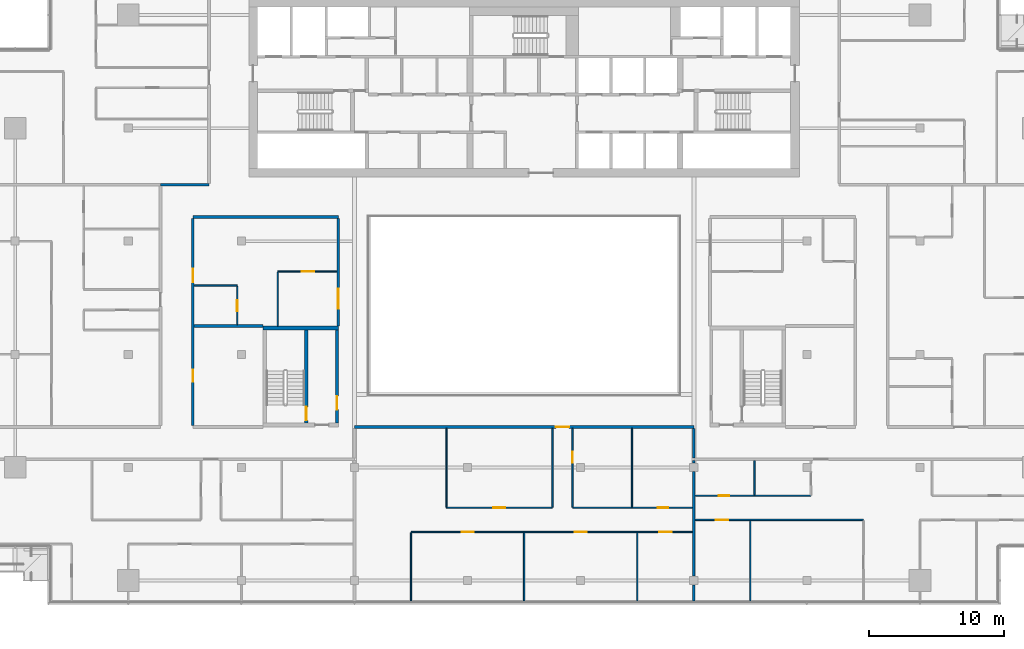
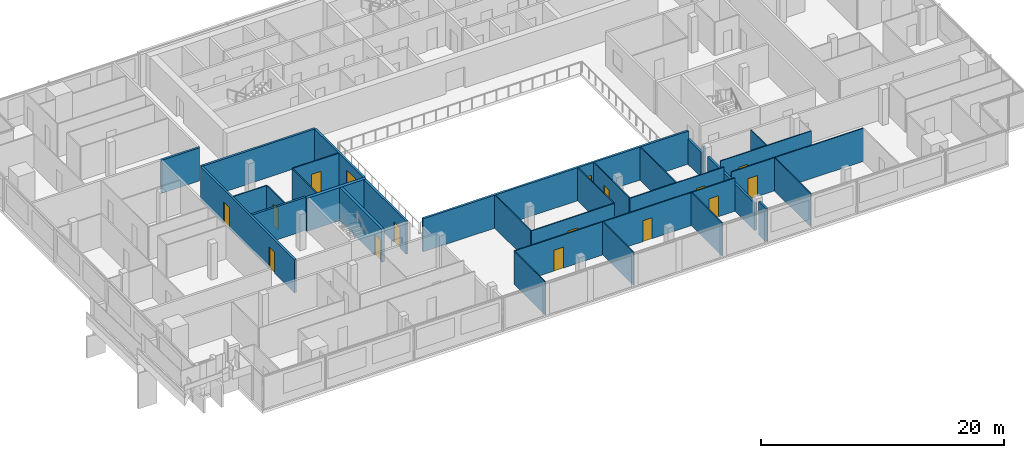
# One storey, part 17 of 30: 31 walls, 15 doors, 1 window, 16 openings.
"""IFC4 building model written with IfcOpenShell, lengths in metres."""

from ifc_helpers import new_model, si_unit, direction, frame, frame_2d, origin, place, context, subcontext, project, spatial, rectangle, extrude, material, layer, layer_set, type_object, element, fill, save


model = new_model("IFC4")

# Units and contexts
model_context = context("Model", 3, precision=1e-05, world=origin(), true_north=direction((0.0, 1.0)))
body_context = subcontext(model_context, "Body", "Model", "MODEL_VIEW")
ifc_project = project(units=[si_unit("LENGTHUNIT", "METRE"), si_unit("AREAUNIT", "SQUARE_METRE"), si_unit("VOLUMEUNIT", "CUBIC_METRE"), si_unit("PLANEANGLEUNIT", "RADIAN"), si_unit("MASSUNIT", "GRAM", prefix="KILO")], contexts=[model_context])

# Site, building, storey
site_placement = place(None, origin())
site = spatial("IfcSite", under=ifc_project, at=site_placement, CompositionType="ELEMENT")
building_placement = place(site_placement, origin())
building = spatial("IfcBuilding", under=site, at=building_placement, Name="Saffron Gate Tower", CompositionType="ELEMENT")
storey_placement = place(building_placement, frame((0.0, 0.0, 245.10009765625)))
storey = spatial("IfcBuildingStorey", under=building, at=storey_placement, Name="L60", CompositionType="ELEMENT", Elevation=245.10009765625)

# Wall, opening, door
ifc_material_1 = material(Name="Gypsum board partition on steel studs", Category="steel")
ifc_layer_1 = layer(ifc_material_1, 0.199951171875)
ifc_layer_set_1 = layer_set([ifc_layer_1], Name="CW10 Core partition 200")
wall_type_1 = type_object("IfcWallType", Name="CW10 Core partition 200", PredefinedType="PARTITIONING", material=ifc_layer_set_1)
wall_1_placement = place(storey_placement, frame((73.699951171875, 43.5, 0.0), z_axis=(0.0, 0.0, 1.0), x_axis=(0.0, 1.0, 0.0)))
wall_1 = element("IfcWall", 1, at=wall_1_placement, inside=storey, type_object=wall_type_1, Name="Wall CW10-L60-D-4", PredefinedType="PARTITIONING", context=body_context, shape_type="SweptSolid", body=[
    extrude(rectangle(XDim=6.89990234375, YDim=0.199951171875, at=frame_2d((3.449951171875, 0.0))), origin(), (0.0, 0.0, 1.0), 3.31982421875),
])
opening_1_placement = place(wall_1_placement, frame((1.0, 0.0, 0.0)))
opening_1 = element("IfcOpeningElement", 2, at=opening_1_placement, cuts=wall_1, Name="Opening CR-19", PredefinedType="OPENING", context=body_context, shape_type="SweptSolid", body=[
    extrude(rectangle(XDim=1.0, YDim=2.10009765625, at=frame_2d((0.5, 1.050048828125))), frame((0.0, 0.10986328125, 0.0), z_axis=(0.0, -1.0, 0.0), x_axis=(1.0, 0.0, 0.0)), (0.0, 0.0, 1.0), 0.219970703125),
])
ifc_material_2 = material(Name="Steel fire door set", Category="steel")
door_type_1 = type_object("IfcDoorType", Name="CD4 Lobby door 1000x2100 EI 120", OperationType="NOTDEFINED", PredefinedType="DOOR", material=ifc_material_2)
door_1_placement = place(opening_1_placement, origin())
door_1 = element("IfcDoor", 3, at=door_1_placement, inside=storey, type_object=door_type_1, Name="DOOR CR-19", OperationType="SINGLE_SWING_RIGHT", OverallHeight=2.10009765625, OverallWidth=1.0, PredefinedType="DOOR", context=body_context, shape_type="SweptSolid", body=[
    extrude(rectangle(XDim=1.0, YDim=2.10009765625, at=frame_2d((0.5, 1.050048828125))), frame((0.0, 0.02490234375, 0.0), z_axis=(0.0, -1.0, 0.0), x_axis=(1.0, 0.0, 0.0)), (0.0, 0.0, 1.0), 0.050048828125),
])
fill(opening_1, door_1)

ifc_material_3 = material(Name="Concrete C60", Category="concrete")
ifc_layer_2 = layer(ifc_material_3, 0.25)
ifc_layer_set_2 = layer_set([ifc_layer_2], Name="CW14 RC core wall 250 C60")
wall_type_2 = type_object("IfcWallType", Name="CW14 RC core wall 250 C60", PredefinedType="SOLIDWALL", material=ifc_layer_set_2)
wall_2_placement = place(storey_placement, frame((71.425048828125, 43.5, 0.0), z_axis=(0.0, 0.0, 1.0), x_axis=(0.0, 1.0, 0.0)))
wall_2 = element("IfcWall", 4, at=wall_2_placement, inside=storey, type_object=wall_type_2, Name="Wall CW14-L60-D-3", PredefinedType="SOLIDWALL", context=body_context, shape_type="SweptSolid", body=[
    extrude(rectangle(XDim=6.89990234375, YDim=0.25, at=frame_2d((3.449951171875, 0.0))), origin(), (0.0, 0.0, 1.0), 3.31982421875),
])
opening_2_placement = place(wall_2_placement, frame((0.199951171875, 0.0, 0.0)))
opening_2 = element("IfcOpeningElement", 5, at=opening_2_placement, cuts=wall_2, Name="Opening CR-20", PredefinedType="OPENING", context=body_context, shape_type="SweptSolid", body=[
    extrude(rectangle(XDim=1.0, YDim=2.10009765625, at=frame_2d((0.5, 1.050048828125))), frame((0.0, 0.135009765625, 0.0), z_axis=(0.0, -1.0, 0.0), x_axis=(1.0, 0.0, 0.0)), (0.0, 0.0, 1.0), 0.27001953125),
])
door_type_2 = type_object("IfcDoorType", Name="CD5 Stair door 1000x2100 EI 120", OperationType="NOTDEFINED", PredefinedType="DOOR", material=ifc_material_2)
door_2_placement = place(opening_2_placement, origin())
door_2 = element("IfcDoor", 6, at=door_2_placement, inside=storey, type_object=door_type_2, Name="DOOR CR-20", OperationType="SINGLE_SWING_LEFT", OverallHeight=2.10009765625, OverallWidth=1.0, PredefinedType="DOOR", context=body_context, shape_type="SweptSolid", body=[
    extrude(rectangle(XDim=1.0, YDim=2.10009765625, at=frame_2d((0.5, 1.050048828125))), frame((0.0, 0.02490234375, 0.0), z_axis=(0.0, -1.0, 0.0), x_axis=(1.0, 0.0, 0.0)), (0.0, 0.0, 1.0), 0.050048828125),
])
fill(opening_2, door_2)

# Wall
ifc_layer_3 = layer(ifc_material_3, 0.300048828125)
ifc_layer_set_3 = layer_set([ifc_layer_3], Name="CW17 RC core wall 300 C60")
wall_type_3 = type_object("IfcWallType", Name="CW17 RC core wall 300 C60", PredefinedType="SOLIDWALL", material=ifc_layer_set_3)
wall_3_placement = place(storey_placement, frame((68.199951171875, 50.550048828125, 0.0), z_axis=(0.0, 0.0, 1.0), x_axis=(1.0, 0.0, 0.0)))
element("IfcWall", 7, at=wall_3_placement, inside=storey, type_object=wall_type_3, Name="Wall CW17-L60-D-5", PredefinedType="SOLIDWALL", context=body_context, shape_type="SweptSolid", body=[
    extrude(rectangle(XDim=5.60009765625, YDim=0.300048828125, at=frame_2d((2.800048828125, 0.0))), origin(), (0.0, 0.0, 1.0), 3.31982421875),
])

# Wall, openings, doors
ifc_material_4 = material(Name="Plasterboard on steel studs", Category="steel")
ifc_layer_4 = layer(ifc_material_4, 0.10009765625)
ifc_layer_set_4 = layer_set([ifc_layer_4], Name="PW1 Partition 100")
wall_type_4 = type_object("IfcWallType", Name="PW1 Partition 100", PredefinedType="PARTITIONING", material=ifc_layer_set_4)
wall_4_placement = place(storey_placement, frame((100.10009765625, 35.39990234375, 0.0), z_axis=(0.0, 0.0, 1.0), x_axis=(-1.0, 0.0, 0.0)))
wall_4 = element("IfcWall", 8, at=wall_4_placement, inside=storey, type_object=wall_type_4, Name="Partition D4-3", PredefinedType="PARTITIONING", context=body_context, shape_type="SweptSolid", body=[
    extrude(rectangle(XDim=20.900146484375, YDim=0.10009765625, at=frame_2d((10.4501953125, 0.0))), origin(), (0.0, 0.0, 1.0), 3.31982421875),
])
opening_3_placement = place(wall_4_placement, frame((1.550048828125, 0.0, 0.0)))
opening_3 = element("IfcOpeningElement", 9, at=opening_3_placement, cuts=wall_4, Name="Opening D4-16", PredefinedType="OPENING", context=body_context, shape_type="SweptSolid", body=[
    extrude(rectangle(XDim=0.89990234375, YDim=2.10009765625, at=frame_2d((0.449951171875, 1.050048828125))), frame((0.0, 0.06005859375, 0.0), z_axis=(0.0, -1.0, 0.0), x_axis=(1.0, 0.0, 0.0)), (0.0, 0.0, 1.0), 0.1201171875),
])
opening_4_placement = place(wall_4_placement, frame((7.85009765625, 0.0, 0.0)))
opening_4 = element("IfcOpeningElement", 10, at=opening_4_placement, cuts=wall_4, Name="Opening D4-15", PredefinedType="OPENING", context=body_context, shape_type="SweptSolid", body=[
    extrude(rectangle(XDim=0.89990234375, YDim=2.10009765625, at=frame_2d((0.449951171875, 1.050048828125))), frame((0.0, 0.06005859375, 0.0), z_axis=(0.0, -1.0, 0.0), x_axis=(1.0, 0.0, 0.0)), (0.0, 0.0, 1.0), 0.1201171875),
])
opening_5_placement = place(wall_4_placement, frame((16.25, 0.0, 0.0)))
opening_5 = element("IfcOpeningElement", 11, at=opening_5_placement, cuts=wall_4, Name="Opening D4-14", PredefinedType="OPENING", context=body_context, shape_type="SweptSolid", body=[
    extrude(rectangle(XDim=0.89990234375, YDim=2.10009765625, at=frame_2d((0.449951171875, 1.050048828125))), frame((0.0, 0.06005859375, 0.0), z_axis=(0.0, -1.0, 0.0), x_axis=(1.0, 0.0, 0.0)), (0.0, 0.0, 1.0), 0.1201171875),
])
ifc_material_5 = material(Name="Timber door set", Category="wood")
door_type_3 = type_object("IfcDoorType", Name="RD1 Room door 900x2100", OperationType="NOTDEFINED", PredefinedType="DOOR", material=ifc_material_5)
door_3_placement = place(opening_3_placement, origin())
door_3 = element("IfcDoor", 12, at=door_3_placement, inside=storey, type_object=door_type_3, Name="Door D4-16", OperationType="SINGLE_SWING_LEFT", OverallHeight=2.10009765625, OverallWidth=0.89990234375, PredefinedType="DOOR", context=body_context, shape_type="SweptSolid", body=[
    extrude(rectangle(XDim=0.89990234375, YDim=2.10009765625, at=frame_2d((0.449951171875, 1.050048828125))), frame((0.0, 0.02490234375, 0.0), z_axis=(0.0, -1.0, 0.0), x_axis=(1.0, 0.0, 0.0)), (0.0, 0.0, 1.0), 0.050048828125),
])
fill(opening_3, door_3)
door_4_placement = place(opening_4_placement, origin())
door_4 = element("IfcDoor", 13, at=door_4_placement, inside=storey, type_object=door_type_3, Name="Door D4-15", OperationType="SINGLE_SWING_RIGHT", OverallHeight=2.10009765625, OverallWidth=0.89990234375, PredefinedType="DOOR", context=body_context, shape_type="SweptSolid", body=[
    extrude(rectangle(XDim=0.89990234375, YDim=2.10009765625, at=frame_2d((0.449951171875, 1.050048828125))), frame((0.0, 0.02490234375, 0.0), z_axis=(0.0, -1.0, 0.0), x_axis=(1.0, 0.0, 0.0)), (0.0, 0.0, 1.0), 0.050048828125),
])
fill(opening_4, door_4)
door_5_placement = place(opening_5_placement, origin())
door_5 = element("IfcDoor", 14, at=door_5_placement, inside=storey, type_object=door_type_3, Name="Door D4-14", OperationType="SINGLE_SWING_LEFT", OverallHeight=2.10009765625, OverallWidth=0.89990234375, PredefinedType="DOOR", context=body_context, shape_type="SweptSolid", body=[
    extrude(rectangle(XDim=0.89990234375, YDim=2.10009765625, at=frame_2d((0.449951171875, 1.050048828125))), frame((0.0, 0.02490234375, 0.0), z_axis=(0.0, -1.0, 0.0), x_axis=(1.0, 0.0, 0.0)), (0.0, 0.0, 1.0), 0.050048828125),
])
fill(opening_5, door_5)

# Wall, opening, door
wall_5_placement = place(storey_placement, frame((112.800048828125, 36.300048828125, 0.0), z_axis=(0.0, 0.0, 1.0), x_axis=(-1.0, 0.0, 0.0)))
wall_5 = element("IfcWall", 15, at=wall_5_placement, inside=storey, type_object=wall_type_4, Name="Partition D4-6", PredefinedType="PARTITIONING", context=body_context, shape_type="SweptSolid", body=[
    extrude(rectangle(XDim=12.5, YDim=0.10009765625, at=frame_2d((6.25, 0.0))), origin(), (0.0, 0.0, 1.0), 3.31982421875),
])
opening_6_placement = place(wall_5_placement, frame((10.050048828125, 0.0, 0.0)))
opening_6 = element("IfcOpeningElement", 16, at=opening_6_placement, cuts=wall_5, Name="Opening D4-18", PredefinedType="OPENING", context=body_context, shape_type="SweptSolid", body=[
    extrude(rectangle(XDim=0.89990234375, YDim=2.10009765625, at=frame_2d((0.449951171875, 1.050048828125))), frame((0.0, 0.06005859375, 0.0), z_axis=(0.0, -1.0, 0.0), x_axis=(1.0, 0.0, 0.0)), (0.0, 0.0, 1.0), 0.1201171875),
])
door_6_placement = place(opening_6_placement, origin())
door_6 = element("IfcDoor", 17, at=door_6_placement, inside=storey, type_object=door_type_3, Name="Door D4-18", OperationType="SINGLE_SWING_RIGHT", OverallHeight=2.10009765625, OverallWidth=0.89990234375, PredefinedType="DOOR", context=body_context, shape_type="SweptSolid", body=[
    extrude(rectangle(XDim=0.89990234375, YDim=2.10009765625, at=frame_2d((0.449951171875, 1.050048828125))), frame((0.0, 0.02490234375, 0.0), z_axis=(0.0, -1.0, 0.0), x_axis=(1.0, 0.0, 0.0)), (0.0, 0.0, 1.0), 0.050048828125),
])
fill(opening_6, door_6)

wall_6_placement = place(storey_placement, frame((81.833251953125, 37.199951171875, 0.0), z_axis=(0.0, 0.0, 1.0), x_axis=(1.0, 0.0, 0.0)))
wall_6 = element("IfcWall", 18, at=wall_6_placement, inside=storey, type_object=wall_type_4, Name="Partition D4-8", PredefinedType="PARTITIONING", context=body_context, shape_type="SweptSolid", body=[
    extrude(rectangle(XDim=7.86669921875, YDim=0.10009765625, at=frame_2d((3.933349609375, 0.0))), origin(), (0.0, 0.0, 1.0), 3.31982421875),
])
opening_7_placement = place(wall_6_placement, frame((3.4833984375, 0.0, 0.0)))
opening_7 = element("IfcOpeningElement", 19, at=opening_7_placement, cuts=wall_6, Name="Opening D4-17", PredefinedType="OPENING", context=body_context, shape_type="SweptSolid", body=[
    extrude(rectangle(XDim=0.89990234375, YDim=2.10009765625, at=frame_2d((0.449951171875, 1.050048828125))), frame((0.0, 0.06005859375, 0.0), z_axis=(0.0, -1.0, 0.0), x_axis=(1.0, 0.0, 0.0)), (0.0, 0.0, 1.0), 0.1201171875),
])
door_7_placement = place(opening_7_placement, origin())
door_7 = element("IfcDoor", 20, at=door_7_placement, inside=storey, type_object=door_type_3, Name="Door D4-17", OperationType="SINGLE_SWING_LEFT", OverallHeight=2.10009765625, OverallWidth=0.89990234375, PredefinedType="DOOR", context=body_context, shape_type="SweptSolid", body=[
    extrude(rectangle(XDim=0.89990234375, YDim=2.10009765625, at=frame_2d((0.449951171875, 1.050048828125))), frame((0.0, 0.02490234375, 0.0), z_axis=(0.0, -1.0, 0.0), x_axis=(1.0, 0.0, 0.0)), (0.0, 0.0, 1.0), 0.050048828125),
])
fill(opening_7, door_7)

wall_7_placement = place(storey_placement, frame((91.199951171875, 37.199951171875, 0.0), z_axis=(0.0, 0.0, 1.0), x_axis=(1.0, 0.0, 0.0)))
wall_7 = element("IfcWall", 21, at=wall_7_placement, inside=storey, type_object=wall_type_4, Name="Partition D4-9", PredefinedType="PARTITIONING", context=body_context, shape_type="SweptSolid", body=[
    extrude(rectangle(XDim=8.900146484375, YDim=0.10009765625, at=frame_2d((4.4501953125, 0.0))), origin(), (0.0, 0.0, 1.0), 3.31982421875),
])
opening_8_placement = place(wall_7_placement, frame((6.308349609375, 0.0, 0.0)))
opening_8 = element("IfcOpeningElement", 22, at=opening_8_placement, cuts=wall_7, Name="Opening D4-40", PredefinedType="OPENING", context=body_context, shape_type="SweptSolid", body=[
    extrude(rectangle(XDim=0.800048828125, YDim=2.10009765625, at=frame_2d((0.39990234375, 1.050048828125))), frame((0.0, 0.06005859375, 0.0), z_axis=(0.0, -1.0, 0.0), x_axis=(1.0, 0.0, 0.0)), (0.0, 0.0, 1.0), 0.1201171875),
])
door_type_4 = type_object("IfcDoorType", Name="RD2 Bathroom door 800x2100", OperationType="NOTDEFINED", PredefinedType="DOOR", material=ifc_material_5)
door_8_placement = place(opening_8_placement, origin())
door_8 = element("IfcDoor", 23, at=door_8_placement, inside=storey, type_object=door_type_4, Name="Door D4-40", OperationType="SINGLE_SWING_RIGHT", OverallHeight=2.10009765625, OverallWidth=0.800048828125, PredefinedType="DOOR", context=body_context, shape_type="SweptSolid", body=[
    extrude(rectangle(XDim=0.800048828125, YDim=2.10009765625, at=frame_2d((0.39990234375, 1.050048828125))), frame((0.0, 0.02490234375, 0.0), z_axis=(0.0, -1.0, 0.0), x_axis=(1.0, 0.0, 0.0)), (0.0, 0.0, 1.0), 0.050048828125),
])
fill(opening_8, door_8)

wall_8_placement = place(storey_placement, frame((100.300048828125, 38.10009765625, 0.0), z_axis=(0.0, 0.0, 1.0), x_axis=(1.0, 0.0, 0.0)))
wall_8 = element("IfcWall", 24, at=wall_8_placement, inside=storey, type_object=wall_type_4, Name="Partition D4-10", PredefinedType="PARTITIONING", context=body_context, shape_type="SweptSolid", body=[
    extrude(rectangle(XDim=8.599853515625, YDim=0.10009765625, at=frame_2d((4.2998046875, 0.0))), origin(), (0.0, 0.0, 1.0), 3.31982421875),
])
opening_9_placement = place(wall_8_placement, frame((1.75, 0.0, 0.0)))
opening_9 = element("IfcOpeningElement", 25, at=opening_9_placement, cuts=wall_8, Name="Opening D4-41", PredefinedType="OPENING", context=body_context, shape_type="SweptSolid", body=[
    extrude(rectangle(XDim=0.800048828125, YDim=2.10009765625, at=frame_2d((0.39990234375, 1.050048828125))), frame((0.0, 0.06005859375, 0.0), z_axis=(0.0, -1.0, 0.0), x_axis=(1.0, 0.0, 0.0)), (0.0, 0.0, 1.0), 0.1201171875),
])
door_9_placement = place(opening_9_placement, origin())
door_9 = element("IfcDoor", 26, at=door_9_placement, inside=storey, type_object=door_type_4, Name="Door D4-41", OperationType="SINGLE_SWING_LEFT", OverallHeight=2.10009765625, OverallWidth=0.800048828125, PredefinedType="DOOR", context=body_context, shape_type="SweptSolid", body=[
    extrude(rectangle(XDim=0.800048828125, YDim=2.10009765625, at=frame_2d((0.39990234375, 1.050048828125))), frame((0.0, 0.02490234375, 0.0), z_axis=(0.0, -1.0, 0.0), x_axis=(1.0, 0.0, 0.0)), (0.0, 0.0, 1.0), 0.050048828125),
])
fill(opening_9, door_9)

# Wall
wall_9_placement = place(storey_placement, frame((63.10009765625, 53.699951171875, 0.0), z_axis=(0.0, 0.0, 1.0), x_axis=(1.0, 0.0, 0.0)))
element("IfcWall", 27, at=wall_9_placement, inside=storey, type_object=wall_type_4, Name="Partition D4-34", PredefinedType="PARTITIONING", context=body_context, shape_type="SweptSolid", body=[
    extrude(rectangle(XDim=3.199951171875, YDim=0.10009765625, at=frame_2d((1.60009765625, 0.0))), origin(), (0.0, 0.0, 1.0), 3.31982421875),
])

# Wall, opening, door
wall_10_placement = place(storey_placement, frame((73.699951171875, 54.75, 0.0), z_axis=(0.0, 0.0, 1.0), x_axis=(-1.0, 0.0, 0.0)))
wall_10 = element("IfcWall", 28, at=wall_10_placement, inside=storey, type_object=wall_type_4, Name="Partition D4-35", PredefinedType="PARTITIONING", context=body_context, shape_type="SweptSolid", body=[
    extrude(rectangle(XDim=4.39990234375, YDim=0.10009765625, at=frame_2d((2.199951171875, 0.0))), origin(), (0.0, 0.0, 1.0), 3.31982421875),
])
opening_10_placement = place(wall_10_placement, frame((1.699951171875, 0.0, 0.0)))
opening_10 = element("IfcOpeningElement", 29, at=opening_10_placement, cuts=wall_10, Name="Opening D4-35", PredefinedType="OPENING", context=body_context, shape_type="SweptSolid", body=[
    extrude(rectangle(XDim=0.89990234375, YDim=2.10009765625, at=frame_2d((0.449951171875, 1.050048828125))), frame((0.0, 0.06005859375, 0.0), z_axis=(0.0, -1.0, 0.0), x_axis=(1.0, 0.0, 0.0)), (0.0, 0.0, 1.0), 0.1201171875),
])
door_10_placement = place(opening_10_placement, origin())
door_10 = element("IfcDoor", 30, at=door_10_placement, inside=storey, type_object=door_type_3, Name="Door D4-35", OperationType="SINGLE_SWING_LEFT", OverallHeight=2.10009765625, OverallWidth=0.89990234375, PredefinedType="DOOR", context=body_context, shape_type="SweptSolid", body=[
    extrude(rectangle(XDim=0.89990234375, YDim=2.10009765625, at=frame_2d((0.449951171875, 1.050048828125))), frame((0.0, 0.02490234375, 0.0), z_axis=(0.0, -1.0, 0.0), x_axis=(1.0, 0.0, 0.0)), (0.0, 0.0, 1.0), 0.050048828125),
])
fill(opening_10, door_10)

wall_11_placement = place(storey_placement, frame((66.300048828125, 50.800048828125, 0.0), z_axis=(0.0, 0.0, 1.0), x_axis=(0.0, 1.0, 0.0)))
wall_11 = element("IfcWall", 31, at=wall_11_placement, inside=storey, type_object=wall_type_4, Name="Partition D4-74", PredefinedType="PARTITIONING", context=body_context, shape_type="SweptSolid", body=[
    extrude(rectangle(XDim=2.849853515625, YDim=0.10009765625, at=frame_2d((1.4248046875, 0.0))), origin(), (0.0, 0.0, 1.0), 3.31982421875),
])
opening_11_placement = place(wall_11_placement, frame((1.0, 0.0, 0.0)))
opening_11 = element("IfcOpeningElement", 32, at=opening_11_placement, cuts=wall_11, Name="Opening D4-49", PredefinedType="OPENING", context=body_context, shape_type="SweptSolid", body=[
    extrude(rectangle(XDim=0.800048828125, YDim=2.10009765625, at=frame_2d((0.39990234375, 1.050048828125))), frame((0.0, 0.06005859375, 0.0), z_axis=(0.0, -1.0, 0.0), x_axis=(1.0, 0.0, 0.0)), (0.0, 0.0, 1.0), 0.1201171875),
])
door_11_placement = place(opening_11_placement, origin())
door_11 = element("IfcDoor", 33, at=door_11_placement, inside=storey, type_object=door_type_4, Name="Door D4-49", OperationType="SINGLE_SWING_LEFT", OverallHeight=2.10009765625, OverallWidth=0.800048828125, PredefinedType="DOOR", context=body_context, shape_type="SweptSolid", body=[
    extrude(rectangle(XDim=0.800048828125, YDim=2.10009765625, at=frame_2d((0.39990234375, 1.050048828125))), frame((0.0, 0.02490234375, 0.0), z_axis=(0.0, -1.0, 0.0), x_axis=(1.0, 0.0, 0.0)), (0.0, 0.0, 1.0), 0.050048828125),
])
fill(opening_11, door_11)

# Walls
wall_12_placement = place(storey_placement, frame((69.300048828125, 54.699951171875, 0.0), z_axis=(0.0, 0.0, 1.0), x_axis=(0.0, -1.0, 0.0)))
element("IfcWall", 34, at=wall_12_placement, inside=storey, type_object=wall_type_4, Name="Partition D4-77", PredefinedType="PARTITIONING", context=body_context, shape_type="SweptSolid", body=[
    extrude(rectangle(XDim=4.0, YDim=0.10009765625, at=frame_2d((2.0, 0.0))), origin(), (0.0, 0.0, 1.0), 3.31982421875),
])
wall_13_placement = place(storey_placement, frame((79.199951171875, 35.35009765625, 0.0), z_axis=(0.0, 0.0, 1.0), x_axis=(0.0, -1.0, 0.0)))
element("IfcWall", 35, at=wall_13_placement, inside=storey, type_object=wall_type_4, Name="Partition D4-84", PredefinedType="PARTITIONING", context=body_context, shape_type="SweptSolid", body=[
    extrude(rectangle(XDim=5.070068359375, YDim=0.10009765625, at=frame_2d((2.53515625, 0.0))), origin(), (0.0, 0.0, 1.0), 3.31982421875),
])
wall_14_placement = place(storey_placement, frame((81.833251953125, 43.10009765625, 0.0), z_axis=(0.0, 0.0, 1.0), x_axis=(0.0, -1.0, 0.0)))
element("IfcWall", 36, at=wall_14_placement, inside=storey, type_object=wall_type_4, Name="Partition D4-85", PredefinedType="PARTITIONING", context=body_context, shape_type="SweptSolid", body=[
    extrude(rectangle(XDim=5.85009765625, YDim=0.10009765625, at=frame_2d((2.925048828125, 0.0))), origin(), (0.0, 0.0, 1.0), 3.31982421875),
])
wall_15_placement = place(storey_placement, frame((87.60009765625, 35.35009765625, 0.0), z_axis=(0.0, 0.0, 1.0), x_axis=(0.0, -1.0, 0.0)))
element("IfcWall", 37, at=wall_15_placement, inside=storey, type_object=wall_type_4, Name="Partition D4-86", PredefinedType="PARTITIONING", context=body_context, shape_type="SweptSolid", body=[
    extrude(rectangle(XDim=5.070068359375, YDim=0.10009765625, at=frame_2d((2.53515625, 0.0))), origin(), (0.0, 0.0, 1.0), 3.31982421875),
])
wall_16_placement = place(storey_placement, frame((89.699951171875, 43.10009765625, 0.0), z_axis=(0.0, 0.0, 1.0), x_axis=(0.0, -1.0, 0.0)))
element("IfcWall", 38, at=wall_16_placement, inside=storey, type_object=wall_type_4, Name="Partition D4-87", PredefinedType="PARTITIONING", context=body_context, shape_type="SweptSolid", body=[
    extrude(rectangle(XDim=5.85009765625, YDim=0.10009765625, at=frame_2d((2.925048828125, 0.0))), origin(), (0.0, 0.0, 1.0), 3.31982421875),
])

# Wall, opening, door
wall_17_placement = place(storey_placement, frame((91.199951171875, 43.10009765625, 0.0), z_axis=(0.0, 0.0, 1.0), x_axis=(0.0, -1.0, 0.0)))
wall_17 = element("IfcWall", 39, at=wall_17_placement, inside=storey, type_object=wall_type_4, Name="Partition D4-88", PredefinedType="PARTITIONING", context=body_context, shape_type="SweptSolid", body=[
    extrude(rectangle(XDim=5.85009765625, YDim=0.10009765625, at=frame_2d((2.925048828125, 0.0))), origin(), (0.0, 0.0, 1.0), 3.31982421875),
])
opening_12_placement = place(wall_17_placement, frame((1.75, 0.0, 0.0)))
opening_12 = element("IfcOpeningElement", 40, at=opening_12_placement, cuts=wall_17, Name="Opening D4-39", PredefinedType="OPENING", context=body_context, shape_type="SweptSolid", body=[
    extrude(rectangle(XDim=0.800048828125, YDim=2.10009765625, at=frame_2d((0.39990234375, 1.050048828125))), frame((0.0, 0.06005859375, 0.0), z_axis=(0.0, -1.0, 0.0), x_axis=(1.0, 0.0, 0.0)), (0.0, 0.0, 1.0), 0.1201171875),
])
door_12_placement = place(opening_12_placement, origin())
door_12 = element("IfcDoor", 41, at=door_12_placement, inside=storey, type_object=door_type_4, Name="Door D4-39", OperationType="SINGLE_SWING_LEFT", OverallHeight=2.10009765625, OverallWidth=0.800048828125, PredefinedType="DOOR", context=body_context, shape_type="SweptSolid", body=[
    extrude(rectangle(XDim=0.800048828125, YDim=2.10009765625, at=frame_2d((0.39990234375, 1.050048828125))), frame((0.0, 0.02490234375, 0.0), z_axis=(0.0, -1.0, 0.0), x_axis=(1.0, 0.0, 0.0)), (0.0, 0.0, 1.0), 0.050048828125),
])
fill(opening_12, door_12)

# Walls
wall_18_placement = place(storey_placement, frame((95.61669921875, 43.10009765625, 0.0), z_axis=(0.0, 0.0, 1.0), x_axis=(0.0, -1.0, 0.0)))
element("IfcWall", 42, at=wall_18_placement, inside=storey, type_object=wall_type_4, Name="Partition D4-89", PredefinedType="PARTITIONING", context=body_context, shape_type="SweptSolid", body=[
    extrude(rectangle(XDim=5.85009765625, YDim=0.10009765625, at=frame_2d((2.925048828125, 0.0))), origin(), (0.0, 0.0, 1.0), 3.31982421875),
])
wall_19_placement = place(storey_placement, frame((96.0, 35.35009765625, 0.0), z_axis=(0.0, 0.0, 1.0), x_axis=(0.0, -1.0, 0.0)))
element("IfcWall", 43, at=wall_19_placement, inside=storey, type_object=wall_type_4, Name="Partition D4-90", PredefinedType="PARTITIONING", context=body_context, shape_type="SweptSolid", body=[
    extrude(rectangle(XDim=5.070068359375, YDim=0.10009765625, at=frame_2d((2.53515625, 0.0))), origin(), (0.0, 0.0, 1.0), 3.31982421875),
])
wall_20_placement = place(storey_placement, frame((104.39990234375, 36.25, 0.0), z_axis=(0.0, 0.0, 1.0), x_axis=(0.0, -1.0, 0.0)))
element("IfcWall", 44, at=wall_20_placement, inside=storey, type_object=wall_type_4, Name="Partition D4-96", PredefinedType="PARTITIONING", context=body_context, shape_type="SweptSolid", body=[
    extrude(rectangle(XDim=5.969970703125, YDim=0.10009765625, at=frame_2d((2.98486328125, 0.0))), origin(), (0.0, 0.0, 1.0), 3.31982421875),
])
wall_21_placement = place(storey_placement, frame((104.699951171875, 40.699951171875, 0.0), z_axis=(0.0, 0.0, 1.0), x_axis=(0.0, -1.0, 0.0)))
element("IfcWall", 45, at=wall_21_placement, inside=storey, type_object=wall_type_4, Name="Partition D4-97", PredefinedType="PARTITIONING", context=body_context, shape_type="SweptSolid", body=[
    extrude(rectangle(XDim=2.550048828125, YDim=0.10009765625, at=frame_2d((1.27490234375, 0.0))), origin(), (0.0, 0.0, 1.0), 3.31982421875),
])
ifc_material_6 = material(Name="Clay brick masonry, rendered", Category="masonry")
ifc_layer_5 = layer(ifc_material_6, 0.199951171875)
ifc_layer_set_5 = layer_set([ifc_layer_5], Name="PW2 Demising wall 200")
wall_type_5 = type_object("IfcWallType", Name="PW2 Demising wall 200", PredefinedType="PARTITIONING", material=ifc_layer_set_5)
wall_22_placement = place(storey_placement, frame((63.10009765625, 50.699951171875, 0.0), z_axis=(0.0, 0.0, 1.0), x_axis=(1.0, 0.0, 0.0)))
element("IfcWall", 46, at=wall_22_placement, inside=storey, type_object=wall_type_5, Name="Wall D4-29", PredefinedType="PARTITIONING", context=body_context, shape_type="SweptSolid", body=[
    extrude(rectangle(XDim=5.099853515625, YDim=0.199951171875, at=frame_2d((2.5498046875, 0.0))), origin(), (0.0, 0.0, 1.0), 3.31982421875),
])
wall_23_placement = place(storey_placement, frame((100.199951171875, 31.47998046875, 0.0), z_axis=(0.0, 0.0, 1.0), x_axis=(0.0, -1.0, 0.0)))
element("IfcWall", 47, at=wall_23_placement, inside=storey, type_object=wall_type_5, Name="Wall D4-92", PredefinedType="PARTITIONING", context=body_context, shape_type="SweptSolid", body=[
    extrude(rectangle(XDim=1.199951171875, YDim=0.199951171875, at=frame_2d((0.60009765625, 0.0))), origin(), (0.0, 0.0, 1.0), 3.31982421875),
])
wall_24_placement = place(storey_placement, frame((100.199951171875, 39.8798828125, 0.0), z_axis=(0.0, 0.0, 1.0), x_axis=(0.0, -1.0, 0.0)))
element("IfcWall", 48, at=wall_24_placement, inside=storey, type_object=wall_type_5, Name="Wall D4-93", PredefinedType="PARTITIONING", context=body_context, shape_type="SweptSolid", body=[
    extrude(rectangle(XDim=7.759765625, YDim=0.199951171875, at=frame_2d((3.8798828125, 0.0))), origin(), (0.0, 0.0, 1.0), 2.719970703125),
])
wall_25_placement = place(storey_placement, frame((100.199951171875, 40.699951171875, 0.0), z_axis=(0.0, 0.0, 1.0), x_axis=(0.0, -1.0, 0.0)))
element("IfcWall", 49, at=wall_25_placement, inside=storey, type_object=wall_type_5, Name="Wall D4-94", PredefinedType="PARTITIONING", context=body_context, shape_type="SweptSolid", body=[
    extrude(rectangle(XDim=0.179931640625, YDim=0.199951171875, at=frame_2d((0.08984375, 0.0))), origin(), (0.0, 0.0, 1.0), 3.31982421875),
])

# Wall, opening, door
ifc_layer_6 = layer(ifc_material_6, 0.199951171875)
ifc_layer_set_6 = layer_set([ifc_layer_6], Name="PW3 Corridor wall 200")
wall_type_6 = type_object("IfcWallType", Name="PW3 Corridor wall 200", PredefinedType="PARTITIONING", material=ifc_layer_set_6)
wall_26_placement = place(storey_placement, frame((100.199951171875, 43.199951171875, 0.0), z_axis=(0.0, 0.0, 1.0), x_axis=(-1.0, 0.0, 0.0)))
wall_26 = element("IfcWall", 50, at=wall_26_placement, inside=storey, type_object=wall_type_6, Name="Wall D4-18", PredefinedType="PARTITIONING", context=body_context, shape_type="SweptSolid", body=[
    extrude(rectangle(XDim=25.199951171875, YDim=0.199951171875, at=frame_2d((12.60009765625, 0.0))), origin(), (0.0, 0.0, 1.0), 3.31982421875),
])
opening_13_placement = place(wall_26_placement, frame((9.25, 0.0, 0.0)))
opening_13 = element("IfcOpeningElement", 51, at=opening_13_placement, cuts=wall_26, Name="Opening D4-2", PredefinedType="OPENING", context=body_context, shape_type="SweptSolid", body=[
    extrude(rectangle(XDim=1.0, YDim=2.10009765625, at=frame_2d((0.5, 1.050048828125))), frame((0.0, 0.10986328125, 0.0), z_axis=(0.0, -1.0, 0.0), x_axis=(1.0, 0.0, 0.0)), (0.0, 0.0, 1.0), 0.219970703125),
])
ifc_material_7 = material(Name="Timber fire door set", Category="wood")
door_type_5 = type_object("IfcDoorType", Name="FD1 Flat entry door 1000x2100", OperationType="NOTDEFINED", PredefinedType="DOOR", material=ifc_material_7)
door_13_placement = place(opening_13_placement, origin())
door_13 = element("IfcDoor", 52, at=door_13_placement, inside=storey, type_object=door_type_5, Name="Door D4-2", OperationType="SINGLE_SWING_RIGHT", OverallHeight=2.10009765625, OverallWidth=1.0, PredefinedType="DOOR", context=body_context, shape_type="SweptSolid", body=[
    extrude(rectangle(XDim=1.0, YDim=2.10009765625, at=frame_2d((0.5, 1.050048828125))), frame((0.0, 0.02490234375, 0.0), z_axis=(0.0, -1.0, 0.0), x_axis=(1.0, 0.0, 0.0)), (0.0, 0.0, 1.0), 0.050048828125),
])
fill(opening_13, door_13)

# Walls
wall_27_placement = place(storey_placement, frame((63.0, 58.800048828125, 0.0), z_axis=(0.0, 0.0, 1.0), x_axis=(1.0, 0.0, 0.0)))
element("IfcWall", 53, at=wall_27_placement, inside=storey, type_object=wall_type_6, Name="Wall D4-43", PredefinedType="PARTITIONING", context=body_context, shape_type="SweptSolid", body=[
    extrude(rectangle(XDim=10.800048828125, YDim=0.199951171875, at=frame_2d((5.39990234375, 0.0))), origin(), (0.0, 0.0, 1.0), 3.31982421875),
])
wall_28_placement = place(storey_placement, frame((60.60009765625, 61.199951171875, 0.0), z_axis=(0.0, 0.0, 1.0), x_axis=(1.0, 0.0, 0.0)))
element("IfcWall", 54, at=wall_28_placement, inside=storey, type_object=wall_type_6, Name="Wall D4-45", PredefinedType="PARTITIONING", context=body_context, shape_type="SweptSolid", body=[
    extrude(rectangle(XDim=3.599853515625, YDim=0.199951171875, at=frame_2d((1.7998046875, 0.0))), origin(), (0.0, 0.0, 1.0), 3.31982421875),
])

# Wall, openings, doors
wall_29_placement = place(storey_placement, frame((63.0, 58.699951171875, 0.0), z_axis=(0.0, 0.0, 1.0), x_axis=(0.0, -1.0, 0.0)))
wall_29 = element("IfcWall", 55, at=wall_29_placement, inside=storey, type_object=wall_type_6, Name="Wall D4-70", PredefinedType="PARTITIONING", context=body_context, shape_type="SweptSolid", body=[
    extrude(rectangle(XDim=15.39990234375, YDim=0.199951171875, at=frame_2d((7.699951171875, 0.0))), origin(), (0.0, 0.0, 1.0), 3.31982421875),
])
opening_14_placement = place(wall_29_placement, frame((3.75, 0.0, 0.0)))
opening_14 = element("IfcOpeningElement", 56, at=opening_14_placement, cuts=wall_29, Name="Opening D4-8", PredefinedType="OPENING", context=body_context, shape_type="SweptSolid", body=[
    extrude(rectangle(XDim=1.0, YDim=2.10009765625, at=frame_2d((0.5, 1.050048828125))), frame((0.0, 0.10986328125, 0.0), z_axis=(0.0, -1.0, 0.0), x_axis=(1.0, 0.0, 0.0)), (0.0, 0.0, 1.0), 0.219970703125),
])
opening_15_placement = place(wall_29_placement, frame((11.25, 0.0, 0.0)))
opening_15 = element("IfcOpeningElement", 57, at=opening_15_placement, cuts=wall_29, Name="Opening D4-52", PredefinedType="OPENING", context=body_context, shape_type="SweptSolid", body=[
    extrude(rectangle(XDim=0.89990234375, YDim=2.10009765625, at=frame_2d((0.449951171875, 1.050048828125))), frame((0.0, 0.10986328125, 0.0), z_axis=(0.0, -1.0, 0.0), x_axis=(1.0, 0.0, 0.0)), (0.0, 0.0, 1.0), 0.219970703125),
])
door_14_placement = place(opening_14_placement, origin())
door_14 = element("IfcDoor", 58, at=door_14_placement, inside=storey, type_object=door_type_5, Name="Door D4-8", OperationType="SINGLE_SWING_LEFT", OverallHeight=2.10009765625, OverallWidth=1.0, PredefinedType="DOOR", context=body_context, shape_type="SweptSolid", body=[
    extrude(rectangle(XDim=1.0, YDim=2.10009765625, at=frame_2d((0.5, 1.050048828125))), frame((0.0, 0.02490234375, 0.0), z_axis=(0.0, -1.0, 0.0), x_axis=(1.0, 0.0, 0.0)), (0.0, 0.0, 1.0), 0.050048828125),
])
fill(opening_14, door_14)
door_type_6 = type_object("IfcDoorType", Name="SD1 Service door 900x2100", OperationType="NOTDEFINED", PredefinedType="DOOR", material=ifc_material_2)
door_15_placement = place(opening_15_placement, origin())
door_15 = element("IfcDoor", 59, at=door_15_placement, inside=storey, type_object=door_type_6, Name="Door D4-52", OperationType="SINGLE_SWING_RIGHT", OverallHeight=2.10009765625, OverallWidth=0.89990234375, PredefinedType="DOOR", context=body_context, shape_type="SweptSolid", body=[
    extrude(rectangle(XDim=0.89990234375, YDim=2.10009765625, at=frame_2d((0.449951171875, 1.050048828125))), frame((0.0, 0.02490234375, 0.0), z_axis=(0.0, -1.0, 0.0), x_axis=(1.0, 0.0, 0.0)), (0.0, 0.0, 1.0), 0.050048828125),
])
fill(opening_15, door_15)

# Wall, opening, window
wall_30_placement = place(storey_placement, frame((73.800048828125, 58.699951171875, 0.0), z_axis=(0.0, 0.0, 1.0), x_axis=(0.0, -1.0, 0.0)))
wall_30 = element("IfcWall", 60, at=wall_30_placement, inside=storey, type_object=wall_type_6, Name="Wall D4-79", PredefinedType="PARTITIONING", context=body_context, shape_type="SweptSolid", body=[
    extrude(rectangle(XDim=8.0, YDim=0.199951171875, at=frame_2d((4.0, 0.0))), origin(), (0.0, 0.0, 1.0), 3.31982421875),
])
opening_16_placement = place(wall_30_placement, frame((5.22509765625, 0.0, 0.89990234375)))
opening_16 = element("IfcOpeningElement", 61, at=opening_16_placement, cuts=wall_30, Name="Opening GW1", PredefinedType="OPENING", context=body_context, shape_type="SweptSolid", body=[
    extrude(rectangle(XDim=1.5, YDim=1.5, at=frame_2d((0.75, 0.75))), frame((0.0, 0.10986328125, 0.0), z_axis=(0.0, -1.0, 0.0), x_axis=(1.0, 0.0, 0.0)), (0.0, 0.0, 1.0), 0.219970703125),
])
ifc_material_8 = material(Name="Fire-resisting laminated glass in steel frame", Category="steel")
ifc_layer_7 = layer(ifc_material_8, 0.06005859375)
ifc_layer_set_7 = layer_set([ifc_layer_7], Name="GW1 Gallery window 1500x1500")
window_type = type_object("IfcWindowType", Name="GW1 Gallery window 1500x1500", PartitioningType="SINGLE_PANEL", PredefinedType="WINDOW", material=ifc_layer_set_7)
window_placement = place(opening_16_placement, origin())
window = element("IfcWindow", 62, at=window_placement, inside=storey, type_object=window_type, Name="GW1 window D4-H-B1", OverallHeight=1.5, OverallWidth=1.5, PartitioningType="SINGLE_PANEL", PredefinedType="WINDOW", context=body_context, shape_type="SweptSolid", body=[
    extrude(rectangle(XDim=1.5, YDim=1.5, at=frame_2d((0.75, 0.75))), frame((0.0, 0.030029296875, 0.0), z_axis=(0.0, -1.0, 0.0), x_axis=(1.0, 0.0, 0.0)), (0.0, 0.0, 1.0), 0.06005859375),
])
fill(opening_16, window)

# Wall
wall_31_placement = place(storey_placement, frame((100.199951171875, 43.10009765625, 0.0), z_axis=(0.0, 0.0, 1.0), x_axis=(0.0, -1.0, 0.0)))
element("IfcWall", 63, at=wall_31_placement, inside=storey, type_object=wall_type_6, Name="Wall D4-91", PredefinedType="PARTITIONING", context=body_context, shape_type="SweptSolid", body=[
    extrude(rectangle(XDim=2.2001953125, YDim=0.199951171875, at=frame_2d((1.10009765625, 0.0))), origin(), (0.0, 0.0, 1.0), 2.52978515625),
])

save(model, "model.ifc")
